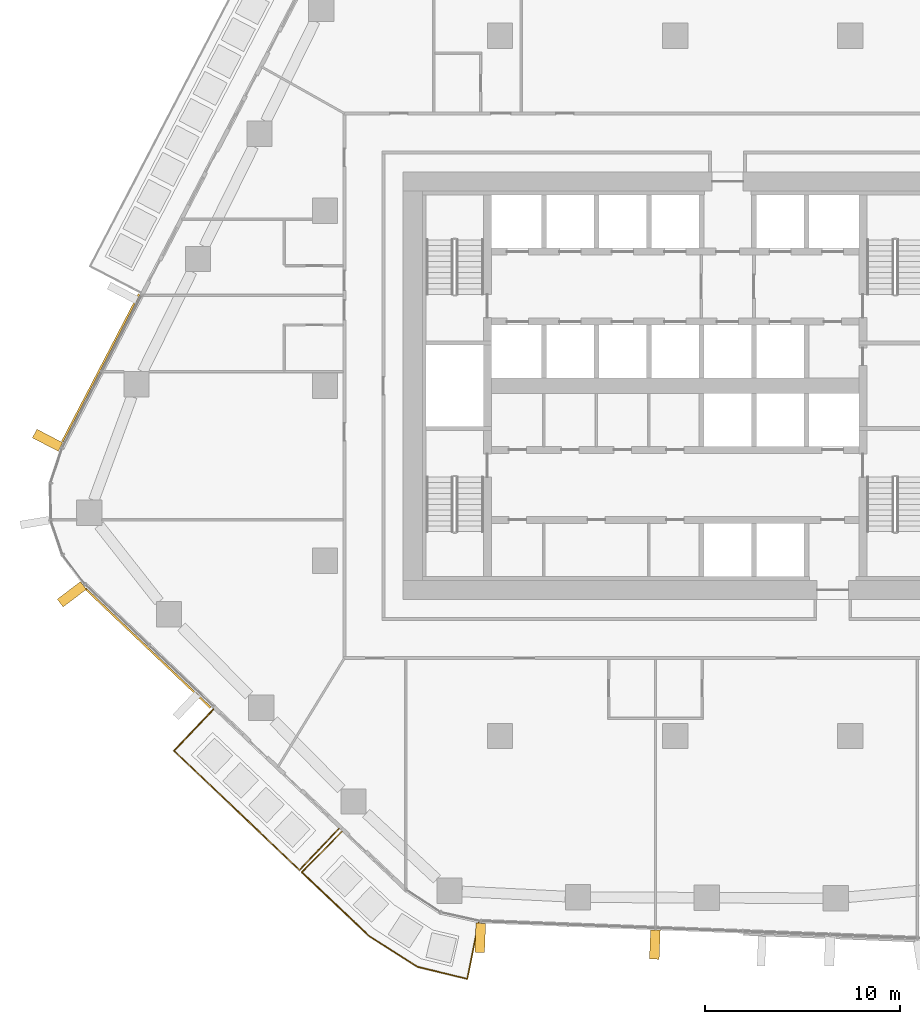
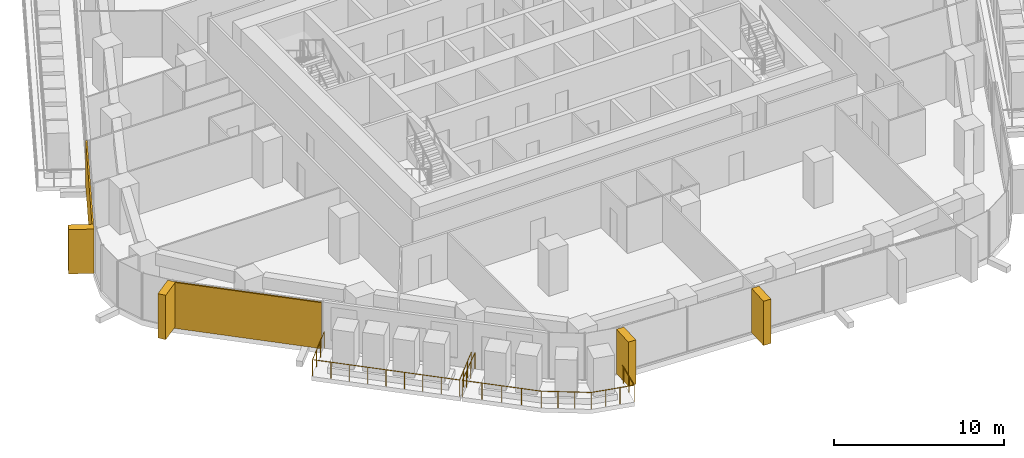
# One storey, part 18 of 23: 6 coverings, 2 railings, 4 elements without a shape of their own.
"""IFC4 building model written with IfcOpenShell, lengths in metres."""

import ifcopenshell
import ifcopenshell.guid

model = None  # the IFC model being written
_history = None  # IfcOwnerHistory: only IFC2X3 demands one
_inside = {}  # id of a spatial element -> (the spatial element, [elements in it])
_under = {}  # id of a project, library or spatial element -> (it, [spatial elements below it])
_declared = {}  # id of a project -> (the project, [libraries it declares])
_typed = {}  # id of a type object -> (the type object, [elements of that type])
_made_of = {}  # id of a material, layer set ... -> (it, [elements and type objects made of it])


def new_model(schema):
    """Start an empty IFC model of exactly this schema.

    Asked for "IFC4X3", IfcOpenShell would pick the latest addendum, in which some entities
    have other attributes; the version numbers below select the first issue.
    IFC2X3 requires an IfcOwnerHistory on every rooted entity: one is made here for all.
    """
    global model, _history
    if schema == "IFC4X3":
        model = ifcopenshell.file(schema_version=(4, 3, 0, 0))
    else:
        model = ifcopenshell.file(schema=schema)
    _inside.clear()
    _under.clear()
    _declared.clear()
    _typed.clear()
    _made_of.clear()
    _history = None
    if model.schema == "IFC2X3":
        org = make("IfcOrganization", Name="unknown")
        user = make(
            "IfcPersonAndOrganization",
            ThePerson=make("IfcPerson", FamilyName="unknown"),
            TheOrganization=org,
        )
        app = make(
            "IfcApplication",
            ApplicationDeveloper=org,
            Version="unknown",
            ApplicationFullName="unknown",
            ApplicationIdentifier="unknown",
        )
        _history = make(
            "IfcOwnerHistory",
            OwningUser=user,
            OwningApplication=app,
            ChangeAction="ADDED",
            CreationDate=0,
        )
    return model


def make(cls, **values):
    """One entity of the class cls with the attributes given. An attribute that is None is left unset."""
    return model.create_entity(
        cls, **{name: value for name, value in values.items() if value is not None}
    )


def rooted(cls, **values):
    """An entity with a GlobalId (a new one), such as an element, a storey or a relation."""
    return make(cls, GlobalId=ifcopenshell.guid.new(), OwnerHistory=_history, **values)


def si_unit(unit_type, name, prefix=None):
    """IfcSIUnit, for example si_unit("LENGTHUNIT", "METRE", prefix="MILLI")."""
    return make("IfcSIUnit", UnitType=unit_type, Prefix=prefix, Name=name)


def assignment(units):
    """IfcUnitAssignment: the units of a project."""
    return None if units is None else make("IfcUnitAssignment", Units=units)


def point(xyz):
    """IfcCartesianPoint."""
    return None if xyz is None else make("IfcCartesianPoint", Coordinates=xyz)


def direction(xyz):
    """IfcDirection."""
    return None if xyz is None else make("IfcDirection", DirectionRatios=xyz)


def frame(location, z_axis=None, x_axis=None):
    """IfcAxis2Placement3D, a coordinate frame: its origin and axes. An axis left out is left unset."""
    return make(
        "IfcAxis2Placement3D",
        Location=point(location),
        Axis=direction(z_axis),
        RefDirection=direction(x_axis),
    )


def frame_2d(location, x_axis=None):
    """IfcAxis2Placement2D, a coordinate frame in the plane: its origin and x axis."""
    return make(
        "IfcAxis2Placement2D", Location=point(location), RefDirection=direction(x_axis)
    )


def origin():
    """The frame at (0, 0, 0) with its axes left unset."""
    return frame((0.0, 0.0, 0.0))


def origin_2d():
    """The frame at (0, 0) in the plane with its x axis left unset."""
    return frame_2d((0.0, 0.0))


def place(relative_to, where):
    """IfcLocalPlacement: puts the frame where relative to a parent placement (None: the world)."""
    return make(
        "IfcLocalPlacement", PlacementRelTo=relative_to, RelativePlacement=where
    )


def context(
    kind, dimensions, precision=None, world=None, true_north=None, identifier=None
):
    """IfcGeometricRepresentationContext, for example the 3D "Model" context."""
    return make(
        "IfcGeometricRepresentationContext",
        ContextIdentifier=identifier,
        ContextType=kind,
        CoordinateSpaceDimension=dimensions,
        Precision=precision,
        WorldCoordinateSystem=world,
        TrueNorth=true_north,
    )


def subcontext(parent, identifier, kind, view, scale=None):
    """IfcGeometricRepresentationSubContext, for example "Body" below "Model"."""
    return make(
        "IfcGeometricRepresentationSubContext",
        ContextIdentifier=identifier,
        ContextType=kind,
        ParentContext=parent,
        TargetScale=scale,
        TargetView=view,
    )


def project(units=None, contexts=None):
    """IfcProject with its units and contexts."""
    return rooted(
        "IfcProject",
        Name="project",
        RepresentationContexts=contexts,
        UnitsInContext=assignment(units),
    )


def spatial(cls, under=None, at=None, **own):
    """A site, building, storey or space (cls), placed at a placement, below another one or the project."""
    s = rooted(cls, ObjectPlacement=at, **own)
    if under is not None:
        _under.setdefault(under.id(), (under, []))[1].append(s)
    return s


def profile(cls, at=None, kind="AREA", **sizes):
    """A parametric profile (cls). Its sizes go by their IFC names, for example OverallWidth=200.0."""
    return make(cls, ProfileType=kind, Position=at, **sizes)


def rectangle(**sizes):
    """IfcRectangleProfileDef."""
    return profile("IfcRectangleProfileDef", **sizes)


def circle(**sizes):
    """IfcCircleProfileDef."""
    return profile("IfcCircleProfileDef", **sizes)


def extrude(swept, where, along, depth):
    """IfcExtrudedAreaSolid: the profile swept, set in the frame where, extruded along a direction by depth."""
    return make(
        "IfcExtrudedAreaSolid",
        SweptArea=swept,
        Position=where,
        ExtrudedDirection=direction(along),
        Depth=depth,
    )


def shape(context_of_items, identifier, shape_type, items):
    """IfcShapeRepresentation: the items that make up one representation, for example the "Body"."""
    return make(
        "IfcShapeRepresentation",
        ContextOfItems=context_of_items,
        RepresentationIdentifier=identifier,
        RepresentationType=shape_type,
        Items=items,
    )


def material(Name=None, Category=None):
    """IfcMaterial."""
    return make("IfcMaterial", Name=Name, Category=Category)


def layer(
    of_material, thickness, ventilated=None, Name=None, Category=None, Priority=None
):
    """IfcMaterialLayer: one layer of a wall or slab, of a material (None: an air gap)."""
    return make(
        "IfcMaterialLayer",
        Material=of_material,
        LayerThickness=thickness,
        IsVentilated=ventilated,
        Name=Name,
        Category=Category,
        Priority=Priority,
    )


def layer_set(layers, Name=None):
    """IfcMaterialLayerSet."""
    return make("IfcMaterialLayerSet", MaterialLayers=layers, LayerSetName=Name)


def material_profile(
    of_material, cross_section, Name=None, Category=None, Priority=None
):
    """IfcMaterialProfile: a cross section and its material."""
    return make(
        "IfcMaterialProfile",
        Name=Name,
        Material=of_material,
        Profile=cross_section,
        Priority=Priority,
        Category=Category,
    )


def profile_set(profiles, Name=None, composite=None):
    """IfcMaterialProfileSet."""
    return make(
        "IfcMaterialProfileSet",
        Name=Name,
        MaterialProfiles=profiles,
        CompositeProfile=composite,
    )


def made_of(thing, what):
    """Note that an element or type object is made of a material, layer set ...; save() writes the relation."""
    if what is not None:
        _made_of.setdefault(what.id(), (what, []))[1].append(thing)
    return thing


def type_object(cls, material=None, **own):
    """A type object (cls), such as IfcWallType, which elements share."""
    return made_of(rooted(cls, **own), material)


def element(
    cls,
    number,
    at=None,
    inside=None,
    cuts=None,
    type_object=None,
    material=None,
    context=None,
    identifier="Body",
    shape_type=None,
    held_by="IfcProductDefinitionShape",
    body=None,
    shapes=None,
    **own,
):
    """One element of the class cls, such as IfcWall. Its Tag is "e" and its number.

    at: its placement. inside: the storey or other place that contains it. cuts: it is an
    opening in that element (IfcRelVoidsElement). A single representation is given by context,
    identifier, shape_type and body (its items); several are given by shapes. held_by: the class
    of the entity that holds the representations. save() writes the other relations.
    """
    e = rooted(cls, Tag="e%d" % number, ObjectPlacement=at, **own)
    if body is not None:
        shapes = [shape(context, identifier, shape_type, body)]
    if shapes is not None:
        e.Representation = make(held_by, Representations=shapes)
    if inside is not None:
        _inside.setdefault(inside.id(), (inside, []))[1].append(e)
    if cuts is not None:
        rooted(
            "IfcRelVoidsElement", RelatingBuildingElement=cuts, RelatedOpeningElement=e
        )
    if type_object is not None:
        _typed.setdefault(type_object.id(), (type_object, []))[1].append(e)
    return made_of(e, material)


def aggregate(whole, parts):
    """IfcRelAggregates: a whole, such as a stair, and the parts it consists of."""
    return rooted("IfcRelAggregates", RelatingObject=whole, RelatedObjects=parts)


def save(model, path):
    """Write the relations noted so far, then the file.

    IfcRelAggregates (storeys below a building ...), IfcRelContainedInSpatialStructure (elements
    in a storey), IfcRelDefinesByType, IfcRelAssociatesMaterial and IfcRelDeclares: one each for
    every whole, place, type object, material and project.
    """
    for whole, parts in _under.values():
        aggregate(whole, parts)
    for where, things in _inside.values():
        rooted(
            "IfcRelContainedInSpatialStructure",
            RelatedElements=things,
            RelatingStructure=where,
        )
    for kind, things in _typed.values():
        rooted("IfcRelDefinesByType", RelatedObjects=things, RelatingType=kind)
    for what, things in _made_of.values():
        rooted("IfcRelAssociatesMaterial", RelatedObjects=things, RelatingMaterial=what)
    for by, libraries in _declared.values():
        rooted("IfcRelDeclares", RelatingContext=by, RelatedDefinitions=libraries)
    model.write(path)


model = new_model("IFC4")

# Units and contexts
model_context = context("Model", 3, precision=1e-05, world=origin(), true_north=direction((0.0, 1.0)))
body_context = subcontext(model_context, "Body", "Model", "MODEL_VIEW")
ifc_project = project(units=[si_unit("LENGTHUNIT", "METRE"), si_unit("AREAUNIT", "SQUARE_METRE"), si_unit("VOLUMEUNIT", "CUBIC_METRE"), si_unit("PLANEANGLEUNIT", "RADIAN"), si_unit("MASSUNIT", "GRAM", prefix="KILO")], contexts=[model_context])

# Site, building, storey
site_placement = place(None, origin())
site = spatial("IfcSite", under=ifc_project, at=site_placement, CompositionType="ELEMENT")
building_placement = place(site_placement, origin())
building = spatial("IfcBuilding", under=site, at=building_placement, Name="Dongbaek Canopy Tower", CompositionType="ELEMENT")
storey_placement = place(building_placement, frame((0.0, 0.0, 132.199951171875)))
storey = spatial("IfcBuildingStorey", under=building, at=storey_placement, Name="L29", CompositionType="ELEMENT", Elevation=132.199951171875)

# Railings
ifc_material_1 = material(Name="Stainless steel", Category="steel")
railing_type = type_object("IfcRailingType", Name="Balcony balustrade 1200", PredefinedType="BALUSTRADE", material=ifc_material_1)
railing_1_placement = place(storey_placement, frame((-23.730712890625, -16.632568359375, 0.0)))
element("IfcRailing", 1, at=railing_1_placement, inside=storey, type_object=railing_type, Name="Balcony guard L29 3", PredefinedType="BALUSTRADE", context=body_context, shape_type="SweptSolid", body=[
    extrude(circle(Radius=0.02392578125, at=origin_2d()), frame((0.0, 0.0, 1.17578125), z_axis=(-0.689325404466, -0.724451852615, 0.0), x_axis=(0.724451852615, -0.689325404466, 0.0)), (0.0, 0.0, 1.0), 2.93994140625),
    extrude(circle(Radius=0.02392578125, at=origin_2d()), frame((-2.026611328125, -2.1298828125, 1.17578125), z_axis=(0.724466132489, -0.689310396611, 0.0), x_axis=(0.689310396611, 0.724466132489, 0.0)), (0.0, 0.0, 1.0), 8.89599609375),
    extrude(circle(Radius=0.02392578125, at=origin_2d()), frame((4.418212890625, -8.261962890625, 1.17578125), z_axis=(0.689283936438, 0.724491307725, 0.0), x_axis=(-0.724491307725, 0.689283936438, 0.0)), (0.0, 0.0, 1.0), 2.940185546875),
    extrude(circle(Radius=0.02099609375, at=origin_2d()), origin(), (0.0, 0.0, 1.0), 1.15185546875),
    extrude(circle(Radius=0.02099609375, at=origin_2d()), frame((-0.675537109375, -0.7099609375, 0.0)), (0.0, 0.0, 1.0), 1.15185546875),
    extrude(circle(Radius=0.02099609375, at=origin_2d()), frame((-1.35107421875, -1.419921875, 0.0)), (0.0, 0.0, 1.0), 1.15185546875),
    extrude(circle(Radius=0.02099609375, at=origin_2d()), frame((-2.026611328125, -2.1298828125, 0.0)), (0.0, 0.0, 1.0), 1.15185546875),
    extrude(circle(Radius=0.02099609375, at=origin_2d()), frame((-1.220947265625, -2.896484375, 0.0)), (0.0, 0.0, 1.0), 1.15185546875),
    extrude(circle(Radius=0.02099609375, at=origin_2d()), frame((-0.41552734375, -3.662841796875, 0.0)), (0.0, 0.0, 1.0), 1.15185546875),
    extrude(circle(Radius=0.02099609375, at=origin_2d()), frame((0.39013671875, -4.429443359375, 0.0)), (0.0, 0.0, 1.0), 1.15185546875),
    extrude(circle(Radius=0.02099609375, at=origin_2d()), frame((1.19580078125, -5.19580078125, 0.0)), (0.0, 0.0, 1.0), 1.15185546875),
    extrude(circle(Radius=0.02099609375, at=origin_2d()), frame((2.00146484375, -5.96240234375, 0.0)), (0.0, 0.0, 1.0), 1.15185546875),
    extrude(circle(Radius=0.02099609375, at=origin_2d()), frame((2.80712890625, -6.72900390625, 0.0)), (0.0, 0.0, 1.0), 1.15185546875),
    extrude(circle(Radius=0.02099609375, at=origin_2d()), frame((3.612548828125, -7.495361328125, 0.0)), (0.0, 0.0, 1.0), 1.15185546875),
    extrude(circle(Radius=0.02099609375, at=origin_2d()), frame((4.418212890625, -8.261962890625, 0.0)), (0.0, 0.0, 1.0), 1.15185546875),
    extrude(circle(Radius=0.02099609375, at=origin_2d()), frame((5.09375, -7.552001953125, 0.0)), (0.0, 0.0, 1.0), 1.15185546875),
    extrude(circle(Radius=0.02099609375, at=origin_2d()), frame((5.769287109375, -6.841796875, 0.0)), (0.0, 0.0, 1.0), 1.15185546875),
    extrude(circle(Radius=0.02099609375, at=origin_2d()), frame((6.44482421875, -6.1318359375, 0.0)), (0.0, 0.0, 1.0), 1.15185546875),
])
railing_2_placement = place(storey_placement, frame((-17.12646484375, -22.916259765625, 0.0)))
element("IfcRailing", 2, at=railing_2_placement, inside=storey, type_object=railing_type, Name="Balcony guard L29 7", PredefinedType="BALUSTRADE", context=body_context, shape_type="SweptSolid", body=[
    extrude(circle(Radius=0.02392578125, at=origin_2d()), frame((0.0, 0.0, 1.17578125), z_axis=(-0.703986411861, -0.710213441097, 0.0), x_axis=(0.710213441097, -0.703986411861, 0.0)), (0.0, 0.0, 1.0), 2.9404296875),
    extrude(circle(Radius=0.02392578125, at=origin_2d()), frame((-2.070068359375, -2.08837890625, 1.17578125), z_axis=(0.726177108042, -0.687507678325, 0.0), x_axis=(0.687507678325, 0.726177108042, 0.0)), (0.0, 0.0, 1.0), 4.77294921875),
    extrude(circle(Radius=0.02392578125, at=origin_2d()), frame((1.39599609375, -5.369873046875, 1.17578125), z_axis=(0.8430468965, -0.537840060149, 0.0), x_axis=(0.537840060149, 0.8430468965, 0.0)), (0.0, 0.0, 1.0), 2.947021484375),
    extrude(circle(Radius=0.02392578125, at=origin_2d()), frame((3.88037109375, -6.954833984375, 1.17578125), z_axis=(0.971990220517, -0.235021299503, 0.0), x_axis=(0.235021299503, 0.971990220517, 0.0)), (0.0, 0.0, 1.0), 2.63232421875),
    extrude(circle(Radius=0.02392578125, at=origin_2d()), frame((6.43896484375, -7.573486328125, 1.17578125), z_axis=(0.197345358097, 0.980334029623, 0.0), x_axis=(-0.980334029623, 0.197345358097, 0.0)), (0.0, 0.0, 1.0), 2.940673828125),
    extrude(circle(Radius=0.02099609375, at=origin_2d()), origin(), (0.0, 0.0, 1.0), 1.15185546875),
    extrude(circle(Radius=0.02099609375, at=origin_2d()), frame((-0.68994140625, -0.696044921875, 0.0)), (0.0, 0.0, 1.0), 1.15185546875),
    extrude(circle(Radius=0.02099609375, at=origin_2d()), frame((-1.380126953125, -1.392333984375, 0.0)), (0.0, 0.0, 1.0), 1.15185546875),
    extrude(circle(Radius=0.02099609375, at=origin_2d()), frame((-2.070068359375, -2.08837890625, 0.0)), (0.0, 0.0, 1.0), 1.15185546875),
    extrude(circle(Radius=0.02099609375, at=origin_2d()), frame((-1.20361328125, -2.90869140625, 0.0)), (0.0, 0.0, 1.0), 1.15185546875),
    extrude(circle(Radius=0.02099609375, at=origin_2d()), frame((-0.3369140625, -3.72900390625, 0.0)), (0.0, 0.0, 1.0), 1.15185546875),
    extrude(circle(Radius=0.02099609375, at=origin_2d()), frame((0.529541015625, -4.549560546875, 0.0)), (0.0, 0.0, 1.0), 1.15185546875),
    extrude(circle(Radius=0.02099609375, at=origin_2d()), frame((1.39599609375, -5.369873046875, 0.0)), (0.0, 0.0, 1.0), 1.15185546875),
    extrude(circle(Radius=0.02099609375, at=origin_2d()), frame((2.22412109375, -5.898193359375, 0.0)), (0.0, 0.0, 1.0), 1.15185546875),
    extrude(circle(Radius=0.02099609375, at=origin_2d()), frame((3.05224609375, -6.426513671875, 0.0)), (0.0, 0.0, 1.0), 1.15185546875),
    extrude(circle(Radius=0.02099609375, at=origin_2d()), frame((3.88037109375, -6.954833984375, 0.0)), (0.0, 0.0, 1.0), 1.15185546875),
    extrude(circle(Radius=0.02099609375, at=origin_2d()), frame((4.733154296875, -7.1611328125, 0.0)), (0.0, 0.0, 1.0), 1.15185546875),
    extrude(circle(Radius=0.02099609375, at=origin_2d()), frame((5.586181640625, -7.3671875, 0.0)), (0.0, 0.0, 1.0), 1.15185546875),
    extrude(circle(Radius=0.02099609375, at=origin_2d()), frame((6.43896484375, -7.573486328125, 0.0)), (0.0, 0.0, 1.0), 1.15185546875),
    extrude(circle(Radius=0.02099609375, at=origin_2d()), frame((6.63232421875, -6.612548828125, 0.0)), (0.0, 0.0, 1.0), 1.15185546875),
    extrude(circle(Radius=0.02099609375, at=origin_2d()), frame((6.825927734375, -5.651611328125, 0.0)), (0.0, 0.0, 1.0), 1.15185546875),
    extrude(circle(Radius=0.02099609375, at=origin_2d()), frame((7.019287109375, -4.690673828125, 0.0)), (0.0, 0.0, 1.0), 1.15185546875),
])

# Curtain wall, covering
ifc_material_2 = material(Name="Aluminium 6063-T6 pale anodised", Category="aluminium")
ifc_layer_1 = layer(ifc_material_2, 0.199951171875)
ifc_layer_set_1 = layer_set([ifc_layer_1], Name="CW-1 unitised tower curtain wall")
curtain_wall_type = type_object("IfcCurtainWallType", Name="CW-1 unitised tower curtain wall", PredefinedType="NOTDEFINED", material=ifc_layer_set_1)
curtain_wall_1_placement = place(storey_placement, origin())
curtain_wall_1 = element("IfcCurtainWall", 3, at=curtain_wall_1_placement, inside=storey, type_object=curtain_wall_type, Name="CW-1 curtain wall F2.1", PredefinedType="NOTDEFINED")
ifc_material_3 = material(Name="Perforated aluminium 6063-T6 pale metal screen", Category="aluminium")
ifc_layer_2 = layer(ifc_material_3, 0.10009765625)
ifc_layer_set_2 = layer_set([ifc_layer_2], Name="Facet screen FS1 100 pale metal")
covering_type_1 = type_object("IfcCoveringType", Name="Facet screen FS1 100 pale metal", PredefinedType="CLADDING", material=ifc_layer_set_2)
covering_1_placement = place(storey_placement, frame((-29.528564453125, 0.922607421875, 0.0), z_axis=(0.0, 0.0, 1.0), x_axis=(-0.461909610727, -0.886927004617, 0.0)))
covering_1 = element("IfcCovering", 4, at=covering_1_placement, type_object=covering_type_1, Name="Facet screen L29 F2", PredefinedType="CLADDING", context=body_context, shape_type="SweptSolid", body=[
    extrude(rectangle(XDim=8.550537109375, YDim=0.10009765625, at=origin_2d()), origin(), (0.0, 0.0, 1.0), 3.300048828125),
])

curtain_wall_2_placement = place(storey_placement, origin())
curtain_wall_2 = element("IfcCurtainWall", 5, at=curtain_wall_2_placement, inside=storey, type_object=curtain_wall_type, Name="CW-1 curtain wall F3.1", PredefinedType="NOTDEFINED")
covering_2_placement = place(storey_placement, frame((-27.104248046875, -13.486328125, 0.0), z_axis=(0.0, 0.0, 1.0), x_axis=(0.724473898843, -0.689302234071, 0.0)))
covering_2 = element("IfcCovering", 6, at=covering_2_placement, type_object=covering_type_1, Name="Facet screen L29 F3", PredefinedType="CLADDING", context=body_context, shape_type="SweptSolid", body=[
    extrude(rectangle(XDim=8.903076171875, YDim=0.10009765625, at=origin_2d()), origin(), (0.0, 0.0, 1.0), 3.300048828125),
])
aggregate(curtain_wall_2, [covering_2])

# Covering
ifc_material_4 = material(Name="Aluminium 6063-T6 pale metal fin", Category="aluminium")
ifc_material_profile = material_profile(ifc_material_4, rectangle(XDim=1.5, YDim=0.5, at=origin_2d()), Name="Fin FN1 500 x 1500 pale metal")
ifc_profile_set = profile_set([ifc_material_profile], Name="Aluminium 6063-T6 pale metal fin")
covering_type_2 = type_object("IfcCoveringType", Name="Fin FN1 500 x 1500 pale metal", PredefinedType="CLADDING", material=ifc_profile_set)
covering_3_placement = place(storey_placement, frame((-32.26171875, -2.80126953125, 0.1201171875), z_axis=(0.0, 0.0, 1.0), x_axis=(-0.886926731215, 0.461910135693, 0.0)))
covering_3 = element("IfcCovering", 7, at=covering_3_placement, type_object=covering_type_2, Name="Fin F2.1.3", PredefinedType="CLADDING", context=body_context, shape_type="SweptSolid", body=[
    extrude(rectangle(XDim=1.5, YDim=0.5, at=origin_2d()), origin(), (0.0, 0.0, 1.0), 3.179931640625),
])

aggregate(curtain_wall_1, [covering_3, covering_1])

# Curtain wall, covering
curtain_wall_3_placement = place(storey_placement, origin())
curtain_wall_3 = element("IfcCurtainWall", 8, at=curtain_wall_3_placement, inside=storey, type_object=curtain_wall_type, Name="CW-1 curtain wall K3.1", PredefinedType="NOTDEFINED")
covering_4_placement = place(storey_placement, frame((-31.01708984375, -10.719970703125, 0.1201171875), z_axis=(0.0, 0.0, 1.0), x_axis=(-0.796707337317, -0.604365302334, 0.0)))
covering_4 = element("IfcCovering", 9, at=covering_4_placement, type_object=covering_type_2, Name="Fin K3.1.5", PredefinedType="CLADDING", context=body_context, shape_type="SweptSolid", body=[
    extrude(rectangle(XDim=1.5, YDim=0.5, at=origin_2d()), origin(), (0.0, 0.0, 1.0), 3.179931640625),
])
aggregate(curtain_wall_3, [covering_4])

# Curtain wall, coverings
curtain_wall_4_placement = place(storey_placement, origin())
curtain_wall_4 = element("IfcCurtainWall", 10, at=curtain_wall_4_placement, inside=storey, type_object=curtain_wall_type, Name="CW-1 curtain wall F4.1", PredefinedType="NOTDEFINED")
covering_5_placement = place(storey_placement, frame((-10.019775390625, -28.380615234375, 0.1201171875), z_axis=(0.0, 0.0, 1.0), x_axis=(-0.038587229989, -0.999255235504, 0.0)))
covering_5 = element("IfcCovering", 11, at=covering_5_placement, type_object=covering_type_2, Name="Fin F4.1.1", PredefinedType="CLADDING", context=body_context, shape_type="SweptSolid", body=[
    extrude(rectangle(XDim=1.5, YDim=0.5, at=origin_2d()), origin(), (0.0, 0.0, 1.0), 3.179931640625),
])
covering_6_placement = place(storey_placement, frame((-1.043701171875, -28.727294921875, 0.1201171875), z_axis=(0.0, 0.0, 1.0), x_axis=(-0.038587229989, -0.999255235504, 0.0)))
covering_6 = element("IfcCovering", 12, at=covering_6_placement, type_object=covering_type_2, Name="Fin F4.1.3", PredefinedType="CLADDING", context=body_context, shape_type="SweptSolid", body=[
    extrude(rectangle(XDim=1.5, YDim=0.5, at=origin_2d()), origin(), (0.0, 0.0, 1.0), 3.179931640625),
])
aggregate(curtain_wall_4, [covering_5, covering_6])

save(model, "model.ifc")
